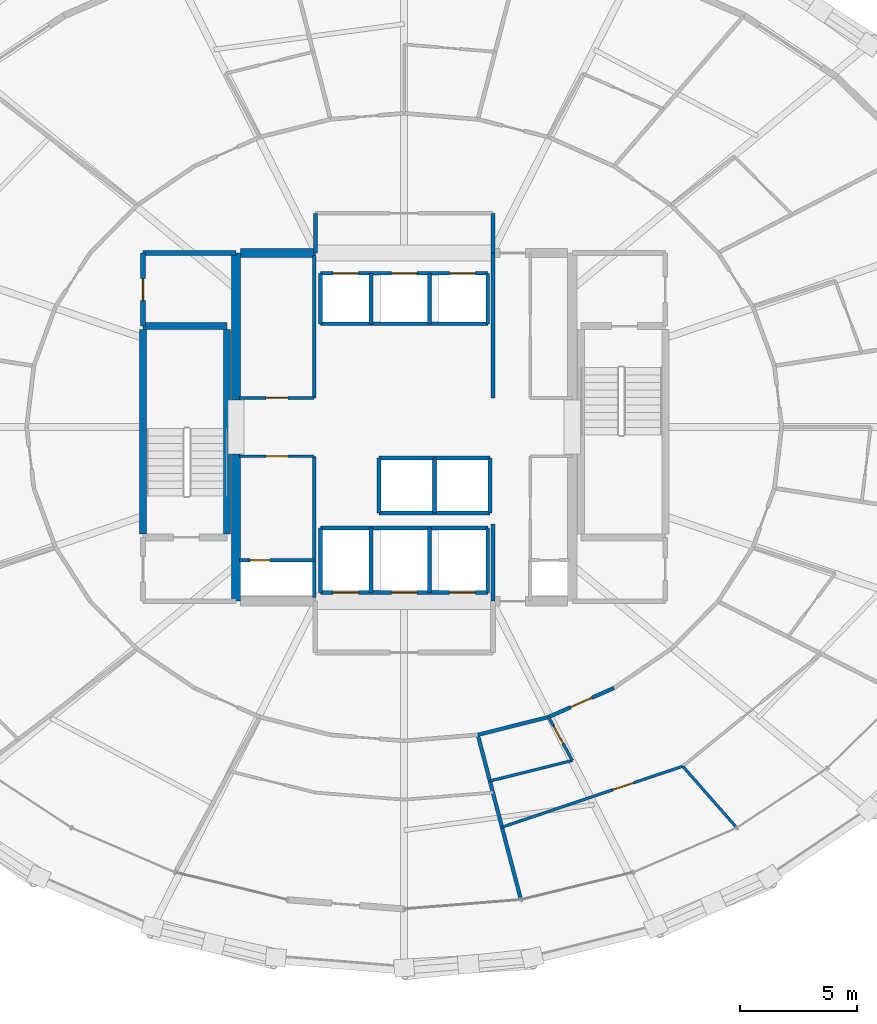
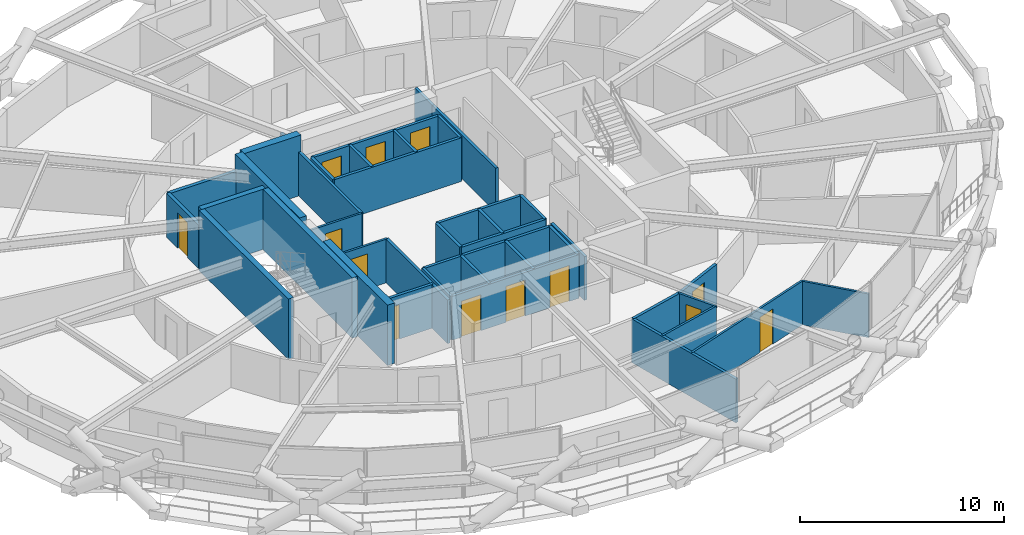
# One storey, part 14 of 19: 41 walls, 13 doors, 13 openings.
"""IFC4 building model written with IfcOpenShell, lengths in metres."""

import ifcopenshell
import ifcopenshell.guid

model = None  # the IFC model being written
_history = None  # IfcOwnerHistory: only IFC2X3 demands one
_inside = {}  # id of a spatial element -> (the spatial element, [elements in it])
_under = {}  # id of a project, library or spatial element -> (it, [spatial elements below it])
_declared = {}  # id of a project -> (the project, [libraries it declares])
_typed = {}  # id of a type object -> (the type object, [elements of that type])
_made_of = {}  # id of a material, layer set ... -> (it, [elements and type objects made of it])


def new_model(schema):
    """Start an empty IFC model of exactly this schema.

    Asked for "IFC4X3", IfcOpenShell would pick the latest addendum, in which some entities
    have other attributes; the version numbers below select the first issue.
    IFC2X3 requires an IfcOwnerHistory on every rooted entity: one is made here for all.
    """
    global model, _history
    if schema == "IFC4X3":
        model = ifcopenshell.file(schema_version=(4, 3, 0, 0))
    else:
        model = ifcopenshell.file(schema=schema)
    _inside.clear()
    _under.clear()
    _declared.clear()
    _typed.clear()
    _made_of.clear()
    _history = None
    if model.schema == "IFC2X3":
        org = make("IfcOrganization", Name="unknown")
        user = make(
            "IfcPersonAndOrganization",
            ThePerson=make("IfcPerson", FamilyName="unknown"),
            TheOrganization=org,
        )
        app = make(
            "IfcApplication",
            ApplicationDeveloper=org,
            Version="unknown",
            ApplicationFullName="unknown",
            ApplicationIdentifier="unknown",
        )
        _history = make(
            "IfcOwnerHistory",
            OwningUser=user,
            OwningApplication=app,
            ChangeAction="ADDED",
            CreationDate=0,
        )
    return model


def make(cls, **values):
    """One entity of the class cls with the attributes given. An attribute that is None is left unset."""
    return model.create_entity(
        cls, **{name: value for name, value in values.items() if value is not None}
    )


def rooted(cls, **values):
    """An entity with a GlobalId (a new one), such as an element, a storey or a relation."""
    return make(cls, GlobalId=ifcopenshell.guid.new(), OwnerHistory=_history, **values)


def si_unit(unit_type, name, prefix=None):
    """IfcSIUnit, for example si_unit("LENGTHUNIT", "METRE", prefix="MILLI")."""
    return make("IfcSIUnit", UnitType=unit_type, Prefix=prefix, Name=name)


def assignment(units):
    """IfcUnitAssignment: the units of a project."""
    return None if units is None else make("IfcUnitAssignment", Units=units)


def point(xyz):
    """IfcCartesianPoint."""
    return None if xyz is None else make("IfcCartesianPoint", Coordinates=xyz)


def direction(xyz):
    """IfcDirection."""
    return None if xyz is None else make("IfcDirection", DirectionRatios=xyz)


def frame(location, z_axis=None, x_axis=None):
    """IfcAxis2Placement3D, a coordinate frame: its origin and axes. An axis left out is left unset."""
    return make(
        "IfcAxis2Placement3D",
        Location=point(location),
        Axis=direction(z_axis),
        RefDirection=direction(x_axis),
    )


def frame_2d(location, x_axis=None):
    """IfcAxis2Placement2D, a coordinate frame in the plane: its origin and x axis."""
    return make(
        "IfcAxis2Placement2D", Location=point(location), RefDirection=direction(x_axis)
    )


def origin():
    """The frame at (0, 0, 0) with its axes left unset."""
    return frame((0.0, 0.0, 0.0))


def place(relative_to, where):
    """IfcLocalPlacement: puts the frame where relative to a parent placement (None: the world)."""
    return make(
        "IfcLocalPlacement", PlacementRelTo=relative_to, RelativePlacement=where
    )


def context(
    kind, dimensions, precision=None, world=None, true_north=None, identifier=None
):
    """IfcGeometricRepresentationContext, for example the 3D "Model" context."""
    return make(
        "IfcGeometricRepresentationContext",
        ContextIdentifier=identifier,
        ContextType=kind,
        CoordinateSpaceDimension=dimensions,
        Precision=precision,
        WorldCoordinateSystem=world,
        TrueNorth=true_north,
    )


def subcontext(parent, identifier, kind, view, scale=None):
    """IfcGeometricRepresentationSubContext, for example "Body" below "Model"."""
    return make(
        "IfcGeometricRepresentationSubContext",
        ContextIdentifier=identifier,
        ContextType=kind,
        ParentContext=parent,
        TargetScale=scale,
        TargetView=view,
    )


def project(units=None, contexts=None):
    """IfcProject with its units and contexts."""
    return rooted(
        "IfcProject",
        Name="project",
        RepresentationContexts=contexts,
        UnitsInContext=assignment(units),
    )


def spatial(cls, under=None, at=None, **own):
    """A site, building, storey or space (cls), placed at a placement, below another one or the project."""
    s = rooted(cls, ObjectPlacement=at, **own)
    if under is not None:
        _under.setdefault(under.id(), (under, []))[1].append(s)
    return s


def profile(cls, at=None, kind="AREA", **sizes):
    """A parametric profile (cls). Its sizes go by their IFC names, for example OverallWidth=200.0."""
    return make(cls, ProfileType=kind, Position=at, **sizes)


def rectangle(**sizes):
    """IfcRectangleProfileDef."""
    return profile("IfcRectangleProfileDef", **sizes)


def extrude(swept, where, along, depth):
    """IfcExtrudedAreaSolid: the profile swept, set in the frame where, extruded along a direction by depth."""
    return make(
        "IfcExtrudedAreaSolid",
        SweptArea=swept,
        Position=where,
        ExtrudedDirection=direction(along),
        Depth=depth,
    )


def shape(context_of_items, identifier, shape_type, items):
    """IfcShapeRepresentation: the items that make up one representation, for example the "Body"."""
    return make(
        "IfcShapeRepresentation",
        ContextOfItems=context_of_items,
        RepresentationIdentifier=identifier,
        RepresentationType=shape_type,
        Items=items,
    )


def material(Name=None, Category=None):
    """IfcMaterial."""
    return make("IfcMaterial", Name=Name, Category=Category)


def layer(
    of_material, thickness, ventilated=None, Name=None, Category=None, Priority=None
):
    """IfcMaterialLayer: one layer of a wall or slab, of a material (None: an air gap)."""
    return make(
        "IfcMaterialLayer",
        Material=of_material,
        LayerThickness=thickness,
        IsVentilated=ventilated,
        Name=Name,
        Category=Category,
        Priority=Priority,
    )


def layer_set(layers, Name=None):
    """IfcMaterialLayerSet."""
    return make("IfcMaterialLayerSet", MaterialLayers=layers, LayerSetName=Name)


def made_of(thing, what):
    """Note that an element or type object is made of a material, layer set ...; save() writes the relation."""
    if what is not None:
        _made_of.setdefault(what.id(), (what, []))[1].append(thing)
    return thing


def type_object(cls, material=None, **own):
    """A type object (cls), such as IfcWallType, which elements share."""
    return made_of(rooted(cls, **own), material)


def element(
    cls,
    number,
    at=None,
    inside=None,
    cuts=None,
    type_object=None,
    material=None,
    context=None,
    identifier="Body",
    shape_type=None,
    held_by="IfcProductDefinitionShape",
    body=None,
    shapes=None,
    **own,
):
    """One element of the class cls, such as IfcWall. Its Tag is "e" and its number.

    at: its placement. inside: the storey or other place that contains it. cuts: it is an
    opening in that element (IfcRelVoidsElement). A single representation is given by context,
    identifier, shape_type and body (its items); several are given by shapes. held_by: the class
    of the entity that holds the representations. save() writes the other relations.
    """
    e = rooted(cls, Tag="e%d" % number, ObjectPlacement=at, **own)
    if body is not None:
        shapes = [shape(context, identifier, shape_type, body)]
    if shapes is not None:
        e.Representation = make(held_by, Representations=shapes)
    if inside is not None:
        _inside.setdefault(inside.id(), (inside, []))[1].append(e)
    if cuts is not None:
        rooted(
            "IfcRelVoidsElement", RelatingBuildingElement=cuts, RelatedOpeningElement=e
        )
    if type_object is not None:
        _typed.setdefault(type_object.id(), (type_object, []))[1].append(e)
    return made_of(e, material)


def fill(opening, filler):
    """IfcRelFillsElement: the door or window that sits in an opening."""
    return rooted(
        "IfcRelFillsElement",
        RelatingOpeningElement=opening,
        RelatedBuildingElement=filler,
    )


def aggregate(whole, parts):
    """IfcRelAggregates: a whole, such as a stair, and the parts it consists of."""
    return rooted("IfcRelAggregates", RelatingObject=whole, RelatedObjects=parts)


def save(model, path):
    """Write the relations noted so far, then the file.

    IfcRelAggregates (storeys below a building ...), IfcRelContainedInSpatialStructure (elements
    in a storey), IfcRelDefinesByType, IfcRelAssociatesMaterial and IfcRelDeclares: one each for
    every whole, place, type object, material and project.
    """
    for whole, parts in _under.values():
        aggregate(whole, parts)
    for where, things in _inside.values():
        rooted(
            "IfcRelContainedInSpatialStructure",
            RelatedElements=things,
            RelatingStructure=where,
        )
    for kind, things in _typed.values():
        rooted("IfcRelDefinesByType", RelatedObjects=things, RelatingType=kind)
    for what, things in _made_of.values():
        rooted("IfcRelAssociatesMaterial", RelatedObjects=things, RelatingMaterial=what)
    for by, libraries in _declared.values():
        rooted("IfcRelDeclares", RelatingContext=by, RelatedDefinitions=libraries)
    model.write(path)


model = new_model("IFC4")

# Units and contexts
model_context = context("Model", 3, precision=1e-05, world=origin(), true_north=direction((0.0, 1.0)))
body_context = subcontext(model_context, "Body", "Model", "MODEL_VIEW")
ifc_project = project(units=[si_unit("LENGTHUNIT", "METRE"), si_unit("AREAUNIT", "SQUARE_METRE"), si_unit("VOLUMEUNIT", "CUBIC_METRE"), si_unit("PLANEANGLEUNIT", "RADIAN"), si_unit("MASSUNIT", "GRAM", prefix="KILO")], contexts=[model_context])

# Site, building, storey
site_placement = place(None, origin())
site = spatial("IfcSite", under=ifc_project, at=site_placement, CompositionType="ELEMENT")
building_placement = place(site_placement, origin())
building = spatial("IfcBuilding", under=site, at=building_placement, Name="Veldorina Hangang Commons", CompositionType="ELEMENT")
storey_placement = place(building_placement, frame((0.0, 0.0, 44.800048828125)))
storey = spatial("IfcBuildingStorey", under=building, at=storey_placement, Name="L10", CompositionType="ELEMENT", Elevation=44.800048828125)

# Walls
ifc_material_1 = material(Name="Concrete C70/85", Category="concrete")
ifc_layer_1 = layer(ifc_material_1, 0.39990234375)
ifc_layer_set_1 = layer_set([ifc_layer_1], Name="Concrete C70/85")
wall_type_1 = type_object("IfcWallType", Name="CW-RC400-C70", PredefinedType="SHEAR", material=ifc_layer_set_1)
for number, where, z_axis, x_axis, name in (
    (1, (24.800048828125, 16.550048828125, 0.0), (0.0, 0.0, 1.0), (0.0, 1.0, 0.0), "L10 W south core shear wall"),
    (2, (24.800048828125, 25.14990234375, 0.0), (0.0, 0.0, 1.0), (0.0, 1.0, 0.0), "L10 W north core shear wall"),
):
    element("IfcWall", number, at=place(storey_placement, frame(where, z_axis=z_axis, x_axis=x_axis)), inside=storey, type_object=wall_type_1, Name=name, PredefinedType="SHEAR", context=body_context, shape_type="SweptSolid", body=[
        extrude(rectangle(XDim=6.300048828125, YDim=0.39990234375, at=frame_2d((3.14990234375, 0.0))), origin(), (0.0, 0.0, 1.0), 3.599853515625),
    ])
wall_1_placement = place(storey_placement, frame((25.0, 31.449951171875, 0.0), z_axis=(0.0, 0.0, 1.0), x_axis=(1.0, 0.0, 0.0)))
element("IfcWall", 3, at=wall_1_placement, inside=storey, type_object=wall_type_1, Name="L10 north-west core shear wall", PredefinedType="SHEAR", context=body_context, shape_type="SweptSolid", body=[
    extrude(rectangle(XDim=3.199951171875, YDim=0.39990234375, at=frame_2d((1.60009765625, 0.0))), origin(), (0.0, 0.0, 1.0), 3.599853515625),
])
ifc_material_2 = material(Name="Concrete C50/60", Category="concrete")
ifc_layer_2 = layer(ifc_material_2, 0.300048828125)
ifc_layer_set_2 = layer_set([ifc_layer_2], Name="Concrete C50/60")
wall_type_2 = type_object("IfcWallType", Name="SW-STAIR-300", PredefinedType="SHEAR", material=ifc_layer_set_2)
for number, where, z_axis, x_axis, name in (
    (4, (20.820068359375, 19.429931640625, 0.0), (0.0, 0.0, 1.0), (0.0, 1.0, 0.0), "L10 ST1 outer stair shear wall"),
    (5, (24.419921875, 19.429931640625, 0.0), (0.0, 0.0, 1.0), (0.0, 1.0, 0.0), "L10 ST1 inner stair shear wall"),
):
    element("IfcWall", number, at=place(storey_placement, frame(where, z_axis=z_axis, x_axis=x_axis)), inside=storey, type_object=wall_type_2, Name=name, PredefinedType="SHEAR", context=body_context, shape_type="SweptSolid", body=[
        extrude(rectangle(XDim=8.739990234375, YDim=0.300048828125, at=frame_2d((4.3701171875, 0.0))), origin(), (0.0, 0.0, 1.0), 3.599853515625),
    ])
wall_2_placement = place(storey_placement, frame((20.820068359375, 28.320068359375, 0.0), z_axis=(0.0, 0.0, 1.0), x_axis=(1.0, 0.0, 0.0)))
element("IfcWall", 6, at=wall_2_placement, inside=storey, type_object=wall_type_2, Name="L10 ST1 north stair shear wall", PredefinedType="SHEAR", context=body_context, shape_type="SweptSolid", body=[
    extrude(rectangle(XDim=3.599853515625, YDim=0.300048828125, at=frame_2d((1.7998046875, 0.0))), origin(), (0.0, 0.0, 1.0), 3.599853515625),
])
ifc_material_3 = material(Name="Gypsum Fire-Rated Twin Stud Wall", Category="gypsum")
ifc_layer_3 = layer(ifc_material_3, 0.159912109375)
ifc_layer_set_3 = layer_set([ifc_layer_3], Name="Gypsum Fire-Rated Twin Stud Wall")
wall_type_3 = type_object("IfcWallType", Name="WL-FIRE-160", PredefinedType="SOLIDWALL", material=ifc_layer_set_3)
wall_3_placement = place(storey_placement, frame((35.800048828125, 16.550048828125, 0.0), z_axis=(0.0, 0.0, 1.0), x_axis=(0.0, 1.0, 0.0)))
element("IfcWall", 7, at=wall_3_placement, inside=storey, type_object=wall_type_3, Name="L10 Lift passage SW wall 009", PredefinedType="SOLIDWALL", context=body_context, shape_type="SweptSolid", body=[
    extrude(rectangle(XDim=3.300048828125, YDim=0.159912109375, at=frame_2d((1.64990234375, 0.0))), origin(), (0.0, 0.0, 1.0), 2.60986328125),
])
wall_4_placement = place(storey_placement, frame((35.800048828125, 25.25, 0.0), z_axis=(0.0, 0.0, 1.0), x_axis=(0.0, 1.0, 0.0)))
element("IfcWall", 8, at=wall_4_placement, inside=storey, type_object=wall_type_3, Name="L10 Lift passage NW wall 011", PredefinedType="SOLIDWALL", context=body_context, shape_type="SweptSolid", body=[
    extrude(rectangle(XDim=6.199951171875, YDim=0.159912109375, at=frame_2d((3.10009765625, 0.0))), origin(), (0.0, 0.0, 1.0), 2.60986328125),
])

# Wall, openings, doors
wall_5_placement = place(storey_placement, frame((28.419921875, 30.580078125, 0.0), z_axis=(0.0, 0.0, 1.0), x_axis=(1.0, 0.0, 0.0)))
wall_5 = element("IfcWall", 9, at=wall_5_placement, inside=storey, type_object=wall_type_3, Name="L10 Low-bank front shaft wall 015", PredefinedType="SOLIDWALL", context=body_context, shape_type="SweptSolid", body=[
    extrude(rectangle(XDim=7.16015625, YDim=0.159912109375, at=frame_2d((3.580078125, 0.0))), origin(), (0.0, 0.0, 1.0), 2.60986328125),
])
opening_1_placement = place(wall_5_placement, frame((0.530029296875, 0.0, 0.0)))
opening_1 = element("IfcOpeningElement", 10, at=opening_1_placement, cuts=wall_5, Name="Opening LD-01", PredefinedType="OPENING", context=body_context, shape_type="SweptSolid", body=[
    extrude(rectangle(XDim=1.10009765625, YDim=2.14990234375, at=frame_2d((0.550048828125, 1.074951171875))), frame((0.0, 0.08984375, 0.0), z_axis=(0.0, -1.0, 0.0), x_axis=(1.0, 0.0, 0.0)), (0.0, 0.0, 1.0), 0.179931640625),
])
opening_2_placement = place(wall_5_placement, frame((3.030029296875, 0.0, 0.0)))
opening_2 = element("IfcOpeningElement", 11, at=opening_2_placement, cuts=wall_5, Name="Opening LD-01", PredefinedType="OPENING", context=body_context, shape_type="SweptSolid", body=[
    extrude(rectangle(XDim=1.10009765625, YDim=2.14990234375, at=frame_2d((0.550048828125, 1.074951171875))), frame((0.0, 0.08984375, 0.0), z_axis=(0.0, -1.0, 0.0), x_axis=(1.0, 0.0, 0.0)), (0.0, 0.0, 1.0), 0.179931640625),
])
opening_3_placement = place(wall_5_placement, frame((5.530029296875, 0.0, 0.0)))
opening_3 = element("IfcOpeningElement", 12, at=opening_3_placement, cuts=wall_5, Name="Opening LD-01", PredefinedType="OPENING", context=body_context, shape_type="SweptSolid", body=[
    extrude(rectangle(XDim=1.10009765625, YDim=2.14990234375, at=frame_2d((0.550048828125, 1.074951171875))), frame((0.0, 0.08984375, 0.0), z_axis=(0.0, -1.0, 0.0), x_axis=(1.0, 0.0, 0.0)), (0.0, 0.0, 1.0), 0.179931640625),
])
ifc_material_4 = material(Name="Stainless Steel Brushed Lift Door", Category="steel")
door_type_1 = type_object("IfcDoorType", Name="DR-LIFT-1100", OperationType="SLIDING_TO_LEFT", PredefinedType="DOOR", material=ifc_material_4)
door_1_placement = place(opening_1_placement, origin())
door_1 = element("IfcDoor", 13, at=door_1_placement, inside=storey, type_object=door_type_1, Name="L10 Lift PL-L1 landing door 006", OperationType="SLIDING_TO_LEFT", OverallHeight=2.14990234375, OverallWidth=1.10009765625, PredefinedType="DOOR", context=body_context, shape_type="SweptSolid", body=[
    extrude(rectangle(XDim=1.10009765625, YDim=2.14990234375, at=frame_2d((0.550048828125, 1.074951171875))), frame((0.0, 0.02490234375, 0.0), z_axis=(0.0, -1.0, 0.0), x_axis=(1.0, 0.0, 0.0)), (0.0, 0.0, 1.0), 0.050048828125),
])
fill(opening_1, door_1)
door_2_placement = place(opening_2_placement, origin())
door_2 = element("IfcDoor", 14, at=door_2_placement, inside=storey, type_object=door_type_1, Name="L10 Lift PL-L2 landing door 007", OperationType="SLIDING_TO_LEFT", OverallHeight=2.14990234375, OverallWidth=1.10009765625, PredefinedType="DOOR", context=body_context, shape_type="SweptSolid", body=[
    extrude(rectangle(XDim=1.10009765625, YDim=2.14990234375, at=frame_2d((0.550048828125, 1.074951171875))), frame((0.0, 0.02490234375, 0.0), z_axis=(0.0, -1.0, 0.0), x_axis=(1.0, 0.0, 0.0)), (0.0, 0.0, 1.0), 0.050048828125),
])
fill(opening_2, door_2)
door_3_placement = place(opening_3_placement, origin())
door_3 = element("IfcDoor", 15, at=door_3_placement, inside=storey, type_object=door_type_1, Name="L10 Lift PL-L3 landing door 008", OperationType="SLIDING_TO_LEFT", OverallHeight=2.14990234375, OverallWidth=1.10009765625, PredefinedType="DOOR", context=body_context, shape_type="SweptSolid", body=[
    extrude(rectangle(XDim=1.10009765625, YDim=2.14990234375, at=frame_2d((0.550048828125, 1.074951171875))), frame((0.0, 0.02490234375, 0.0), z_axis=(0.0, -1.0, 0.0), x_axis=(1.0, 0.0, 0.0)), (0.0, 0.0, 1.0), 0.050048828125),
])
fill(opening_3, door_3)

# Walls
wall_6_placement = place(storey_placement, frame((28.419921875, 28.419921875, 0.0), z_axis=(0.0, 0.0, 1.0), x_axis=(1.0, 0.0, 0.0)))
element("IfcWall", 16, at=wall_6_placement, inside=storey, type_object=wall_type_3, Name="L10 Low-bank rear shaft wall 016", PredefinedType="SOLIDWALL", context=body_context, shape_type="SweptSolid", body=[
    extrude(rectangle(XDim=7.16015625, YDim=0.159912109375, at=frame_2d((3.580078125, 0.0))), origin(), (0.0, 0.0, 1.0), 2.60986328125),
])
for number, where, z_axis, x_axis, name in (
    (17, (28.419921875, 28.419921875, 0.0), (0.0, 0.0, 1.0), (0.0, 1.0, 0.0), "L10 PL-L1 west shaft wall 017"),
    (18, (30.580078125, 28.419921875, 0.0), (0.0, 0.0, 1.0), (0.0, 1.0, 0.0), "L10 PL-L1 east shaft wall 018"),
    (19, (33.080078125, 28.419921875, 0.0), (0.0, 0.0, 1.0), (0.0, 1.0, 0.0), "L10 PL-L2 east shaft wall 019"),
    (20, (35.580078125, 28.419921875, 0.0), (0.0, 0.0, 1.0), (0.0, 1.0, 0.0), "L10 PL-L3 east shaft wall 020"),
):
    element("IfcWall", number, at=place(storey_placement, frame(where, z_axis=z_axis, x_axis=x_axis)), inside=storey, type_object=wall_type_3, Name=name, PredefinedType="SOLIDWALL", context=body_context, shape_type="SweptSolid", body=[
        extrude(rectangle(XDim=2.16015625, YDim=0.159912109375, at=frame_2d((1.080078125, 0.0))), origin(), (0.0, 0.0, 1.0), 2.60986328125),
    ])
for number, where, z_axis, x_axis, name in (
    (21, (30.919921875, 22.679931640625, 0.0), (0.0, 0.0, 1.0), (1.0, 0.0, 0.0), "L10 Shuttle-high front shaft wall 021"),
    (22, (30.919921875, 20.320068359375, 0.0), (0.0, 0.0, 1.0), (1.0, 0.0, 0.0), "L10 Shuttle-high rear shaft wall 022"),
):
    element("IfcWall", number, at=place(storey_placement, frame(where, z_axis=z_axis, x_axis=x_axis)), inside=storey, type_object=wall_type_3, Name=name, PredefinedType="SOLIDWALL", context=body_context, shape_type="SweptSolid", body=[
        extrude(rectangle(XDim=4.760009765625, YDim=0.159912109375, at=frame_2d((2.3798828125, 0.0))), origin(), (0.0, 0.0, 1.0), 2.60986328125),
    ])
for number, where, z_axis, x_axis, name in (
    (23, (30.919921875, 20.320068359375, 0.0), (0.0, 0.0, 1.0), (0.0, 1.0, 0.0), "L10 SL-1 west shaft wall 023"),
    (24, (33.300048828125, 20.320068359375, 0.0), (0.0, 0.0, 1.0), (0.0, 1.0, 0.0), "L10 SL-1 east shaft wall 024"),
    (25, (35.679931640625, 20.320068359375, 0.0), (0.0, 0.0, 1.0), (0.0, 1.0, 0.0), "L10 SL-2 east shaft wall 025"),
):
    element("IfcWall", number, at=place(storey_placement, frame(where, z_axis=z_axis, x_axis=x_axis)), inside=storey, type_object=wall_type_3, Name=name, PredefinedType="SOLIDWALL", context=body_context, shape_type="SweptSolid", body=[
        extrude(rectangle(XDim=2.35986328125, YDim=0.159912109375, at=frame_2d((1.179931640625, 0.0))), origin(), (0.0, 0.0, 1.0), 2.60986328125),
    ])

# Wall, openings, doors
wall_7_placement = place(storey_placement, frame((28.419921875, 16.919921875, 0.0), z_axis=(0.0, 0.0, 1.0), x_axis=(1.0, 0.0, 0.0)))
wall_7 = element("IfcWall", 26, at=wall_7_placement, inside=storey, type_object=wall_type_3, Name="L10 Emergency front shaft wall 026", PredefinedType="SOLIDWALL", context=body_context, shape_type="SweptSolid", body=[
    extrude(rectangle(XDim=7.16015625, YDim=0.159912109375, at=frame_2d((3.580078125, 0.0))), origin(), (0.0, 0.0, 1.0), 2.60986328125),
])
opening_4_placement = place(wall_7_placement, frame((0.530029296875, 0.0, 0.0)))
opening_4 = element("IfcOpeningElement", 27, at=opening_4_placement, cuts=wall_7, Name="Opening LD-03", PredefinedType="OPENING", context=body_context, shape_type="SweptSolid", body=[
    extrude(rectangle(XDim=1.10009765625, YDim=2.14990234375, at=frame_2d((0.550048828125, 1.074951171875))), frame((0.0, 0.08984375, 0.0), z_axis=(0.0, -1.0, 0.0), x_axis=(1.0, 0.0, 0.0)), (0.0, 0.0, 1.0), 0.179931640625),
])
opening_5_placement = place(wall_7_placement, frame((3.030029296875, 0.0, 0.0)))
opening_5 = element("IfcOpeningElement", 28, at=opening_5_placement, cuts=wall_7, Name="Opening LD-03", PredefinedType="OPENING", context=body_context, shape_type="SweptSolid", body=[
    extrude(rectangle(XDim=1.10009765625, YDim=2.14990234375, at=frame_2d((0.550048828125, 1.074951171875))), frame((0.0, 0.08984375, 0.0), z_axis=(0.0, -1.0, 0.0), x_axis=(1.0, 0.0, 0.0)), (0.0, 0.0, 1.0), 0.179931640625),
])
opening_6_placement = place(wall_7_placement, frame((5.530029296875, 0.0, 0.0)))
opening_6 = element("IfcOpeningElement", 29, at=opening_6_placement, cuts=wall_7, Name="Opening LD-03", PredefinedType="OPENING", context=body_context, shape_type="SweptSolid", body=[
    extrude(rectangle(XDim=1.10009765625, YDim=2.14990234375, at=frame_2d((0.550048828125, 1.074951171875))), frame((0.0, 0.08984375, 0.0), z_axis=(0.0, -1.0, 0.0), x_axis=(1.0, 0.0, 0.0)), (0.0, 0.0, 1.0), 0.179931640625),
])
ifc_material_5 = material(Name="Stainless Steel Firefighting Lift Door", Category="steel")
door_type_2 = type_object("IfcDoorType", Name="DR-LIFT-FF1100", OperationType="SLIDING_TO_RIGHT", PredefinedType="DOOR", material=ifc_material_5)
door_4_placement = place(opening_4_placement, origin())
door_4 = element("IfcDoor", 30, at=door_4_placement, inside=storey, type_object=door_type_2, Name="L10 Emergency lift FFL-1 landing door 009", OperationType="SLIDING_TO_RIGHT", OverallHeight=2.14990234375, OverallWidth=1.10009765625, PredefinedType="DOOR", context=body_context, shape_type="SweptSolid", body=[
    extrude(rectangle(XDim=1.10009765625, YDim=2.14990234375, at=frame_2d((0.550048828125, 1.074951171875))), frame((0.0, 0.02490234375, 0.0), z_axis=(0.0, -1.0, 0.0), x_axis=(1.0, 0.0, 0.0)), (0.0, 0.0, 1.0), 0.050048828125),
])
fill(opening_4, door_4)
door_5_placement = place(opening_5_placement, origin())
door_5 = element("IfcDoor", 31, at=door_5_placement, inside=storey, type_object=door_type_2, Name="L10 Emergency lift FFL-2 landing door 010", OperationType="SLIDING_TO_RIGHT", OverallHeight=2.14990234375, OverallWidth=1.10009765625, PredefinedType="DOOR", context=body_context, shape_type="SweptSolid", body=[
    extrude(rectangle(XDim=1.10009765625, YDim=2.14990234375, at=frame_2d((0.550048828125, 1.074951171875))), frame((0.0, 0.02490234375, 0.0), z_axis=(0.0, -1.0, 0.0), x_axis=(1.0, 0.0, 0.0)), (0.0, 0.0, 1.0), 0.050048828125),
])
fill(opening_5, door_5)
door_6_placement = place(opening_6_placement, origin())
door_6 = element("IfcDoor", 32, at=door_6_placement, inside=storey, type_object=door_type_2, Name="L10 Emergency lift EVL-1 landing door 011", OperationType="SLIDING_TO_RIGHT", OverallHeight=2.14990234375, OverallWidth=1.10009765625, PredefinedType="DOOR", context=body_context, shape_type="SweptSolid", body=[
    extrude(rectangle(XDim=1.10009765625, YDim=2.14990234375, at=frame_2d((0.550048828125, 1.074951171875))), frame((0.0, 0.02490234375, 0.0), z_axis=(0.0, -1.0, 0.0), x_axis=(1.0, 0.0, 0.0)), (0.0, 0.0, 1.0), 0.050048828125),
])
fill(opening_6, door_6)

# Walls
wall_8_placement = place(storey_placement, frame((28.419921875, 19.679931640625, 0.0), z_axis=(0.0, 0.0, 1.0), x_axis=(1.0, 0.0, 0.0)))
element("IfcWall", 33, at=wall_8_placement, inside=storey, type_object=wall_type_3, Name="L10 Emergency rear shaft wall 027", PredefinedType="SOLIDWALL", context=body_context, shape_type="SweptSolid", body=[
    extrude(rectangle(XDim=7.16015625, YDim=0.159912109375, at=frame_2d((3.580078125, 0.0))), origin(), (0.0, 0.0, 1.0), 2.60986328125),
])
for number, where, z_axis, x_axis, name in (
    (34, (28.419921875, 16.919921875, 0.0), (0.0, 0.0, 1.0), (0.0, 1.0, 0.0), "L10 FFL-1 west shaft wall 028"),
    (35, (30.580078125, 16.919921875, 0.0), (0.0, 0.0, 1.0), (0.0, 1.0, 0.0), "L10 FFL-1 east shaft wall 029"),
    (36, (33.080078125, 16.919921875, 0.0), (0.0, 0.0, 1.0), (0.0, 1.0, 0.0), "L10 FFL-2 east shaft wall 030"),
    (37, (35.580078125, 16.919921875, 0.0), (0.0, 0.0, 1.0), (0.0, 1.0, 0.0), "L10 EVL-1 east shaft wall 031"),
):
    element("IfcWall", number, at=place(storey_placement, frame(where, z_axis=z_axis, x_axis=x_axis)), inside=storey, type_object=wall_type_3, Name=name, PredefinedType="SOLIDWALL", context=body_context, shape_type="SweptSolid", body=[
        extrude(rectangle(XDim=2.760009765625, YDim=0.159912109375, at=frame_2d((1.3798828125, 0.0))), origin(), (0.0, 0.0, 1.0), 2.60986328125),
    ])
for number, where, z_axis, x_axis, name in (
    (38, (28.199951171875, 31.449951171875, 0.0), (0.0, 0.0, 1.0), (0.0, 1.0, 0.0), "L10 North lobby west wall 032"),
    (39, (35.800048828125, 31.449951171875, 0.0), (0.0, 0.0, 1.0), (0.0, 1.0, 0.0), "L10 North lobby east wall 033"),
):
    element("IfcWall", number, at=place(storey_placement, frame(where, z_axis=z_axis, x_axis=x_axis)), inside=storey, type_object=wall_type_3, Name=name, PredefinedType="SOLIDWALL", context=body_context, shape_type="SweptSolid", body=[
        extrude(rectangle(XDim=1.699951171875, YDim=0.159912109375, at=frame_2d((0.85009765625, 0.0))), origin(), (0.0, 0.0, 1.0), 2.60986328125),
    ])

# Wall, opening, door
wall_9_placement = place(storey_placement, frame((24.949951171875, 18.300048828125, 0.0), z_axis=(0.0, 0.0, 1.0), x_axis=(1.0, 0.0, 0.0)))
wall_9 = element("IfcWall", 40, at=wall_9_placement, inside=storey, type_object=wall_type_3, Name="L10 Electrical riser wall 035", PredefinedType="SOLIDWALL", context=body_context, shape_type="SweptSolid", body=[
    extrude(rectangle(XDim=3.199951171875, YDim=0.159912109375, at=frame_2d((1.60009765625, 0.0))), origin(), (0.0, 0.0, 1.0), 2.60986328125),
])
opening_7_placement = place(wall_9_placement, frame((0.43994140625, 0.0, 0.0)))
opening_7 = element("IfcOpeningElement", 41, at=opening_7_placement, cuts=wall_9, Name="Opening D-12", PredefinedType="OPENING", context=body_context, shape_type="SweptSolid", body=[
    extrude(rectangle(XDim=0.860107421875, YDim=2.050048828125, at=frame_2d((0.43017578125, 1.02490234375))), frame((0.0, 0.08984375, 0.0), z_axis=(0.0, -1.0, 0.0), x_axis=(1.0, 0.0, 0.0)), (0.0, 0.0, 1.0), 0.179931640625),
])
ifc_material_6 = material(Name="Steel Insulated Riser Access", Category="steel")
door_type_3 = type_object("IfcDoorType", Name="DR-TRAP-860", OperationType="SINGLE_SWING_LEFT", PredefinedType="TRAPDOOR", material=ifc_material_6)
door_7_placement = place(opening_7_placement, origin())
door_7 = element("IfcDoor", 42, at=door_7_placement, inside=storey, type_object=door_type_3, Name="L10 Electrical riser access door 013", OperationType="SINGLE_SWING_LEFT", OverallHeight=2.050048828125, OverallWidth=0.860107421875, PredefinedType="TRAPDOOR", context=body_context, shape_type="SweptSolid", body=[
    extrude(rectangle(XDim=0.860107421875, YDim=2.050048828125, at=frame_2d((0.43017578125, 1.02490234375))), frame((0.0, 0.02490234375, 0.0), z_axis=(0.0, -1.0, 0.0), x_axis=(1.0, 0.0, 0.0)), (0.0, 0.0, 1.0), 0.050048828125),
])
fill(opening_7, door_7)

# Walls
wall_10_placement = place(storey_placement, frame((28.14990234375, 16.699951171875, 0.0), z_axis=(0.0, 0.0, 1.0), x_axis=(0.0, 1.0, 0.0)))
element("IfcWall", 43, at=wall_10_placement, inside=storey, type_object=wall_type_3, Name="L10 SW core inner wall 036", PredefinedType="SOLIDWALL", context=body_context, shape_type="SweptSolid", body=[
    extrude(rectangle(XDim=6.050048828125, YDim=0.159912109375, at=frame_2d((3.02490234375, 0.0))), origin(), (0.0, 0.0, 1.0), 2.60986328125),
])
wall_11_placement = place(storey_placement, frame((28.14990234375, 25.25, 0.0), z_axis=(0.0, 0.0, 1.0), x_axis=(0.0, 1.0, 0.0)))
element("IfcWall", 44, at=wall_11_placement, inside=storey, type_object=wall_type_3, Name="L10 NW core inner wall 038", PredefinedType="SOLIDWALL", context=body_context, shape_type="SweptSolid", body=[
    extrude(rectangle(XDim=6.10009765625, YDim=0.159912109375, at=frame_2d((3.050048828125, 0.0))), origin(), (0.0, 0.0, 1.0), 2.60986328125),
])
wall_12_placement = place(storey_placement, frame((35.153076171875, 10.82421875, 0.0), z_axis=(0.0, 0.0, 1.0), x_axis=(0.969653665365, 0.244482656326, 0.0)))
element("IfcWall", 45, at=wall_12_placement, inside=storey, type_object=wall_type_3, Name="L10 Corridor outer wall 25 070", PredefinedType="SOLIDWALL", context=body_context, shape_type="SweptSolid", body=[
    extrude(rectangle(XDim=3.126708984375, YDim=0.159912109375, at=frame_2d((1.5634765625, 0.0))), origin(), (0.0, 0.0, 1.0), 2.60986328125),
])

# Wall, opening, door
wall_13_placement = place(storey_placement, frame((38.184814453125, 11.588623046875, 0.0), z_axis=(0.0, 0.0, 1.0), x_axis=(0.913860932409, 0.406027334321, 0.0)))
wall_13 = element("IfcWall", 46, at=wall_13_placement, inside=storey, type_object=wall_type_3, Name="L10 Corridor outer wall 26 071", PredefinedType="SOLIDWALL", context=body_context, shape_type="SweptSolid", body=[
    extrude(rectangle(XDim=3.0576171875, YDim=0.159912109375, at=frame_2d((1.52880859375, 0.0))), origin(), (0.0, 0.0, 1.0), 2.60986328125),
])
opening_8_placement = place(wall_13_placement, frame((1.02880859375, 0.0, 0.0)))
opening_8 = element("IfcOpeningElement", 47, at=opening_8_placement, cuts=wall_13, Name="Opening D-06", PredefinedType="OPENING", context=body_context, shape_type="SweptSolid", body=[
    extrude(rectangle(XDim=1.0, YDim=2.10009765625, at=frame_2d((0.5, 1.050048828125))), frame((0.0, 0.08984375, 0.0), z_axis=(0.0, -1.0, 0.0), x_axis=(1.0, 0.0, 0.0)), (0.0, 0.0, 1.0), 0.179931640625),
])
ifc_material_7 = material(Name="Timber Fire-Rated Entrance Core", Category="wood")
door_type_4 = type_object("IfcDoorType", Name="DR-UNIT-1000", OperationType="SINGLE_SWING_LEFT", PredefinedType="DOOR", material=ifc_material_7)
door_8_placement = place(opening_8_placement, origin())
door_8 = element("IfcDoor", 48, at=door_8_placement, inside=storey, type_object=door_type_4, Name="L10 Cluster 2 entrance door 022", OperationType="SINGLE_SWING_RIGHT", OverallHeight=2.10009765625, OverallWidth=1.0, PredefinedType="DOOR", context=body_context, shape_type="SweptSolid", body=[
    extrude(rectangle(XDim=1.0, YDim=2.10009765625, at=frame_2d((0.5, 1.050048828125))), frame((0.0, 0.02490234375, 0.0), z_axis=(0.0, -1.0, 0.0), x_axis=(1.0, 0.0, 0.0)), (0.0, 0.0, 1.0), 0.050048828125),
])
fill(opening_8, door_8)

# Wall
wall_14_placement = place(storey_placement, frame((35.153076171875, 10.82421875, 0.0), z_axis=(0.0, 0.0, 1.0), x_axis=(0.253159702582, -0.967424500924, 0.0)))
element("IfcWall", 49, at=wall_14_placement, inside=storey, type_object=wall_type_3, Name="L10 Unit party wall 25 081", PredefinedType="SOLIDWALL", context=body_context, shape_type="SweptSolid", body=[
    extrude(rectangle(XDim=7.246337890625, YDim=0.159912109375, at=frame_2d((3.623046875, 0.0))), origin(), (0.0, 0.0, 1.0), 2.60986328125),
])

# Wall, opening, door
ifc_material_8 = material(Name="Concrete Blockwork Fire Wall C30/37", Category="masonry")
ifc_layer_4 = layer(ifc_material_8, 0.199951171875)
ifc_layer_set_4 = layer_set([ifc_layer_4], Name="Concrete Blockwork Fire Wall C30/37")
wall_type_4 = type_object("IfcWallType", Name="WL-FIRE-200", PredefinedType="SOLIDWALL", material=ifc_layer_set_4)
wall_15_placement = place(storey_placement, frame((20.820068359375, 28.320068359375, 0.0), z_axis=(0.0, 0.0, 1.0), x_axis=(0.0, 1.0, 0.0)))
wall_15 = element("IfcWall", 50, at=wall_15_placement, inside=storey, type_object=wall_type_4, Name="L10 NW core room outer wall 005", PredefinedType="SOLIDWALL", context=body_context, shape_type="SweptSolid", body=[
    extrude(rectangle(XDim=3.1298828125, YDim=0.199951171875, at=frame_2d((1.56494140625, 0.0))), origin(), (0.0, 0.0, 1.0), 2.60986328125),
])
opening_9_placement = place(wall_15_placement, frame((1.090087890625, 0.0, 0.0)))
opening_9 = element("IfcOpeningElement", 51, at=opening_9_placement, cuts=wall_15, Name="Opening D-04", PredefinedType="OPENING", context=body_context, shape_type="SweptSolid", body=[
    extrude(rectangle(XDim=0.949951171875, YDim=2.10009765625, at=frame_2d((0.47509765625, 1.050048828125))), frame((0.0, 0.10986328125, 0.0), z_axis=(0.0, -1.0, 0.0), x_axis=(1.0, 0.0, 0.0)), (0.0, 0.0, 1.0), 0.219970703125),
])
ifc_material_9 = material(Name="Timber Accessible Flush Leaf", Category="wood")
door_type_5 = type_object("IfcDoorType", Name="DR-ACC-950", OperationType="SINGLE_SWING_LEFT", PredefinedType="DOOR", material=ifc_material_9)
door_9_placement = place(opening_9_placement, origin())
door_9 = element("IfcDoor", 52, at=door_9_placement, inside=storey, type_object=door_type_5, Name="L10 NW core WC door 003", OperationType="SINGLE_SWING_LEFT", OverallHeight=2.10009765625, OverallWidth=0.949951171875, PredefinedType="DOOR", context=body_context, shape_type="SweptSolid", body=[
    extrude(rectangle(XDim=0.949951171875, YDim=2.10009765625, at=frame_2d((0.47509765625, 1.050048828125))), frame((0.0, 0.02490234375, 0.0), z_axis=(0.0, -1.0, 0.0), x_axis=(1.0, 0.0, 0.0)), (0.0, 0.0, 1.0), 0.050048828125),
])
fill(opening_9, door_9)

# Wall
wall_16_placement = place(storey_placement, frame((20.820068359375, 31.449951171875, 0.0), z_axis=(0.0, 0.0, 1.0), x_axis=(1.0, 0.0, 0.0)))
element("IfcWall", 53, at=wall_16_placement, inside=storey, type_object=wall_type_4, Name="L10 NW core room north wall 006", PredefinedType="SOLIDWALL", context=body_context, shape_type="SweptSolid", body=[
    extrude(rectangle(XDim=3.97998046875, YDim=0.199951171875, at=frame_2d((1.989990234375, 0.0))), origin(), (0.0, 0.0, 1.0), 2.60986328125),
])

# Wall, opening, door
ifc_material_10 = material(Name="Gypsum Acoustic Stud Partition", Category="gypsum")
ifc_layer_5 = layer(ifc_material_10, 0.1201171875)
ifc_layer_set_5 = layer_set([ifc_layer_5], Name="Gypsum Acoustic Stud Partition")
wall_type_5 = type_object("IfcWallType", Name="WL-PART-120", PredefinedType="PARTITIONING", material=ifc_layer_set_5)
wall_17_placement = place(storey_placement, frame((24.949951171875, 25.25, 0.0), z_axis=(0.0, 0.0, 1.0), x_axis=(1.0, 0.0, 0.0)))
wall_17 = element("IfcWall", 54, at=wall_17_placement, inside=storey, type_object=wall_type_5, Name="L10 NW service south wall 039", PredefinedType="PARTITIONING", context=body_context, shape_type="SweptSolid", body=[
    extrude(rectangle(XDim=3.199951171875, YDim=0.1201171875, at=frame_2d((1.60009765625, 0.0))), origin(), (0.0, 0.0, 1.0), 2.60986328125),
])
opening_10_placement = place(wall_17_placement, frame((1.125, 0.0, 0.0)))
opening_10 = element("IfcOpeningElement", 55, at=opening_10_placement, cuts=wall_17, Name="Opening D-02", PredefinedType="OPENING", context=body_context, shape_type="SweptSolid", body=[
    extrude(rectangle(XDim=0.949951171875, YDim=2.10009765625, at=frame_2d((0.47509765625, 1.050048828125))), frame((0.0, 0.070068359375, 0.0), z_axis=(0.0, -1.0, 0.0), x_axis=(1.0, 0.0, 0.0)), (0.0, 0.0, 1.0), 0.14013671875),
])
ifc_material_11 = material(Name="Timber Solid Core Acoustic", Category="wood")
door_type_6 = type_object("IfcDoorType", Name="DR-INT-950", OperationType="SINGLE_SWING_LEFT", PredefinedType="DOOR", material=ifc_material_11)
door_10_placement = place(opening_10_placement, origin())
door_10 = element("IfcDoor", 56, at=door_10_placement, inside=storey, type_object=door_type_6, Name="L10 Housekeeping store door 015", OperationType="SINGLE_SWING_LEFT", OverallHeight=2.10009765625, OverallWidth=0.949951171875, PredefinedType="DOOR", context=body_context, shape_type="SweptSolid", body=[
    extrude(rectangle(XDim=0.949951171875, YDim=2.10009765625, at=frame_2d((0.47509765625, 1.050048828125))), frame((0.0, 0.02490234375, 0.0), z_axis=(0.0, -1.0, 0.0), x_axis=(1.0, 0.0, 0.0)), (0.0, 0.0, 1.0), 0.050048828125),
])
fill(opening_10, door_10)

wall_18_placement = place(storey_placement, frame((24.949951171875, 22.75, 0.0), z_axis=(0.0, 0.0, 1.0), x_axis=(1.0, 0.0, 0.0)))
wall_18 = element("IfcWall", 57, at=wall_18_placement, inside=storey, type_object=wall_type_5, Name="L10 SW service north wall 040", PredefinedType="PARTITIONING", context=body_context, shape_type="SweptSolid", body=[
    extrude(rectangle(XDim=3.199951171875, YDim=0.1201171875, at=frame_2d((1.60009765625, 0.0))), origin(), (0.0, 0.0, 1.0), 2.60986328125),
])
opening_11_placement = place(wall_18_placement, frame((1.125, 0.0, 0.0)))
opening_11 = element("IfcOpeningElement", 58, at=opening_11_placement, cuts=wall_18, Name="Opening D-02", PredefinedType="OPENING", context=body_context, shape_type="SweptSolid", body=[
    extrude(rectangle(XDim=0.949951171875, YDim=2.10009765625, at=frame_2d((0.47509765625, 1.050048828125))), frame((0.0, 0.070068359375, 0.0), z_axis=(0.0, -1.0, 0.0), x_axis=(1.0, 0.0, 0.0)), (0.0, 0.0, 1.0), 0.14013671875),
])
door_11_placement = place(opening_11_placement, origin())
door_11 = element("IfcDoor", 59, at=door_11_placement, inside=storey, type_object=door_type_6, Name="L10 Refuse hold door 016", OperationType="SINGLE_SWING_RIGHT", OverallHeight=2.10009765625, OverallWidth=0.949951171875, PredefinedType="DOOR", context=body_context, shape_type="SweptSolid", body=[
    extrude(rectangle(XDim=0.949951171875, YDim=2.10009765625, at=frame_2d((0.47509765625, 1.050048828125))), frame((0.0, 0.02490234375, 0.0), z_axis=(0.0, -1.0, 0.0), x_axis=(1.0, 0.0, 0.0)), (0.0, 0.0, 1.0), 0.050048828125),
])
fill(opening_11, door_11)

# Wall
wall_19_placement = place(storey_placement, frame((35.670166015625, 8.84765625, 0.0), z_axis=(0.0, 0.0, 1.0), x_axis=(0.970347473602, 0.241714253766, 0.0)))
element("IfcWall", 60, at=wall_19_placement, inside=storey, type_object=wall_type_5, Name="L10 Cluster 2 bath front wall 082", PredefinedType="PARTITIONING", context=body_context, shape_type="SweptSolid", body=[
    extrude(rectangle(XDim=3.63720703125, YDim=0.1201171875, at=frame_2d((1.818603515625, 0.0))), origin(), (0.0, 0.0, 1.0), 2.60986328125),
])

# Wall, opening, door
wall_20_placement = place(storey_placement, frame((38.184814453125, 11.588623046875, 0.0), z_axis=(0.0, 0.0, 1.0), x_axis=(0.478529407878, -0.878071526583, 0.0)))
wall_20 = element("IfcWall", 61, at=wall_20_placement, inside=storey, type_object=wall_type_5, Name="L10 Cluster 2 bath side wall 083", PredefinedType="PARTITIONING", context=body_context, shape_type="SweptSolid", body=[
    extrude(rectangle(XDim=2.120361328125, YDim=0.1201171875, at=frame_2d((1.06005859375, 0.0))), origin(), (0.0, 0.0, 1.0), 2.60986328125),
])
opening_12_placement = place(wall_20_placement, frame((0.43994140625, 0.0, 0.0)))
opening_12 = element("IfcOpeningElement", 62, at=opening_12_placement, cuts=wall_20, Name="Opening D-01", PredefinedType="OPENING", context=body_context, shape_type="SweptSolid", body=[
    extrude(rectangle(XDim=0.860107421875, YDim=2.10009765625, at=frame_2d((0.43017578125, 1.050048828125))), frame((0.0, 0.070068359375, 0.0), z_axis=(0.0, -1.0, 0.0), x_axis=(1.0, 0.0, 0.0)), (0.0, 0.0, 1.0), 0.14013671875),
])
ifc_material_12 = material(Name="Timber Moisture-Resistant Core", Category="wood")
door_type_7 = type_object("IfcDoorType", Name="DR-WET-860", OperationType="SINGLE_SWING_LEFT", PredefinedType="DOOR", material=ifc_material_12)
door_12_placement = place(opening_12_placement, origin())
door_12 = element("IfcDoor", 63, at=door_12_placement, inside=storey, type_object=door_type_7, Name="L10 Cluster 2 shared bathroom door 021", OperationType="SINGLE_SWING_LEFT", OverallHeight=2.10009765625, OverallWidth=0.860107421875, PredefinedType="DOOR", context=body_context, shape_type="SweptSolid", body=[
    extrude(rectangle(XDim=0.860107421875, YDim=2.10009765625, at=frame_2d((0.43017578125, 1.050048828125))), frame((0.0, 0.02490234375, 0.0), z_axis=(0.0, -1.0, 0.0), x_axis=(1.0, 0.0, 0.0)), (0.0, 0.0, 1.0), 0.050048828125),
])
fill(opening_12, door_12)

wall_21_placement = place(storey_placement, frame((36.1875, 6.871337890625, 0.0), z_axis=(0.0, 0.0, 1.0), x_axis=(0.947631591079, 0.319365570451, 0.0)))
wall_21 = element("IfcWall", 64, at=wall_21_placement, inside=storey, type_object=wall_type_5, Name="L10 Cluster 2 bed 1 front wall 084", PredefinedType="PARTITIONING", context=body_context, shape_type="SweptSolid", body=[
    extrude(rectangle(XDim=8.1650390625, YDim=0.1201171875, at=frame_2d((4.08251953125, 0.0))), origin(), (0.0, 0.0, 1.0), 2.60986328125),
])
opening_13_placement = place(wall_21_placement, frame((5.001220703125, 0.0, 0.0)))
opening_13 = element("IfcOpeningElement", 65, at=opening_13_placement, cuts=wall_21, Name="Opening D-02", PredefinedType="OPENING", context=body_context, shape_type="SweptSolid", body=[
    extrude(rectangle(XDim=0.949951171875, YDim=2.10009765625, at=frame_2d((0.47509765625, 1.050048828125))), frame((0.0, 0.070068359375, 0.0), z_axis=(0.0, -1.0, 0.0), x_axis=(1.0, 0.0, 0.0)), (0.0, 0.0, 1.0), 0.14013671875),
])
door_13_placement = place(opening_13_placement, origin())
door_13 = element("IfcDoor", 66, at=door_13_placement, inside=storey, type_object=door_type_6, Name="L10 Cluster 2 bed 1 door 023", OperationType="SINGLE_SWING_LEFT", OverallHeight=2.10009765625, OverallWidth=0.949951171875, PredefinedType="DOOR", context=body_context, shape_type="SweptSolid", body=[
    extrude(rectangle(XDim=0.949951171875, YDim=2.10009765625, at=frame_2d((0.47509765625, 1.050048828125))), frame((0.0, 0.02490234375, 0.0), z_axis=(0.0, -1.0, 0.0), x_axis=(1.0, 0.0, 0.0)), (0.0, 0.0, 1.0), 0.050048828125),
])
fill(opening_13, door_13)

# Wall
wall_22_placement = place(storey_placement, frame((43.925048828125, 9.47900390625, 0.0), z_axis=(0.0, 0.0, 1.0), x_axis=(0.660293373385, -0.751007763651, 0.0)))
element("IfcWall", 67, at=wall_22_placement, inside=storey, type_object=wall_type_5, Name="L10 Cluster 2 bed divider 1 086", PredefinedType="PARTITIONING", context=body_context, shape_type="SweptSolid", body=[
    extrude(rectangle(XDim=3.45556640625, YDim=0.1201171875, at=frame_2d((1.727783203125, 0.0))), origin(), (0.0, 0.0, 1.0), 2.60986328125),
])

save(model, "model.ifc")
